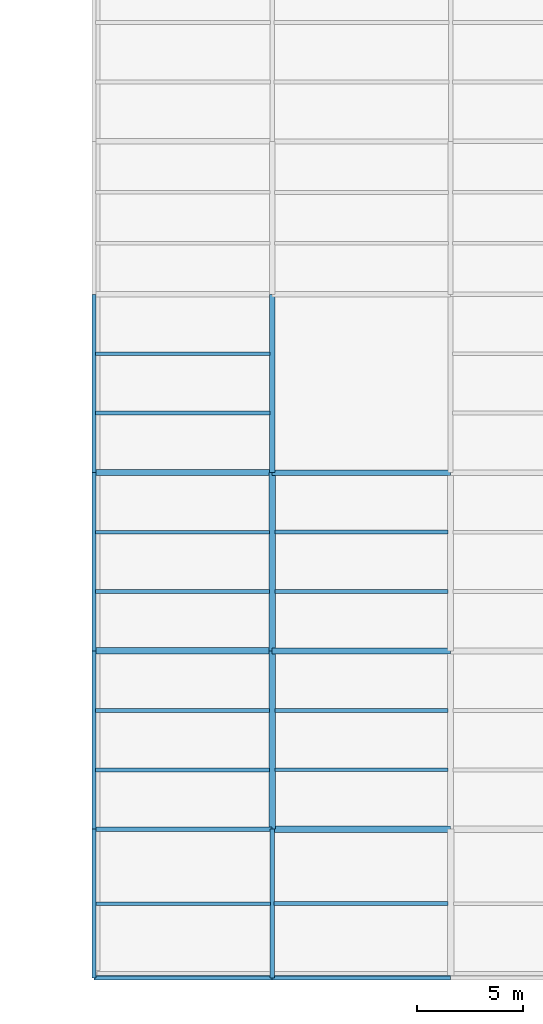
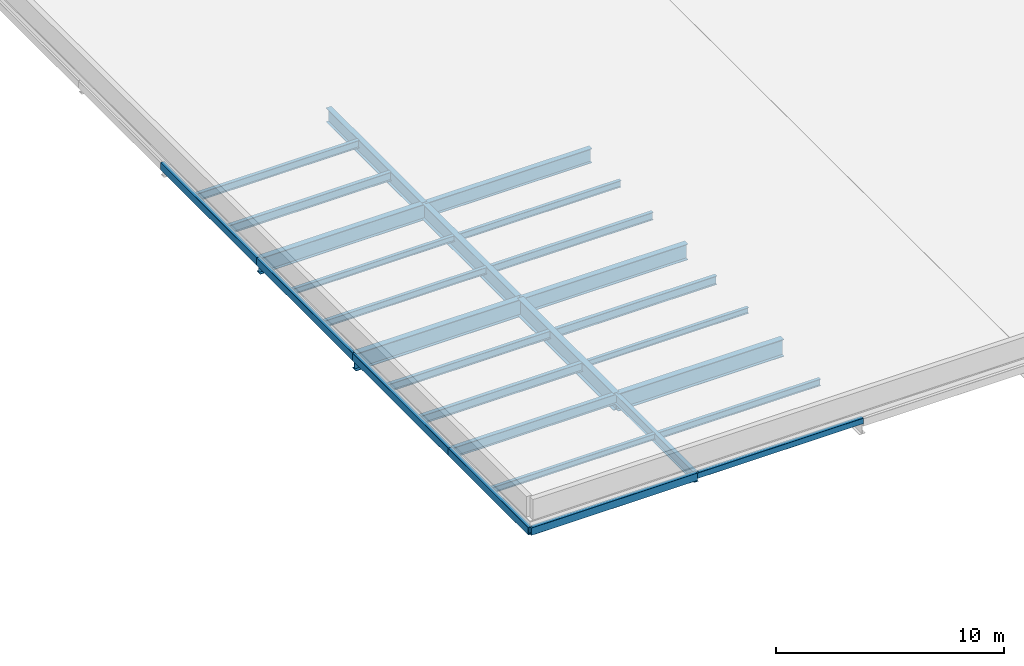
# One storey, part 26 of 68: 28 beams.
"""IFC4 building model written with IfcOpenShell, lengths in metres."""

from ifc_helpers import new_model, si_unit, direction, frame, origin_with_axes, origin_2d_with_axis, place, context, subcontext, project, spatial, hollow_rectangle, i_section, extrude, material, material_profile, profile_set, type_object, element, save


model = new_model("IFC4")

# Units and contexts
model_context = context("Model", 3, precision=1e-05, world=origin_with_axes(), true_north=direction((0.0, 1.0)))
body_context = subcontext(model_context, "Body", "Model", "MODEL_VIEW")
ifc_project = project(units=[si_unit("LENGTHUNIT", "METRE"), si_unit("AREAUNIT", "SQUARE_METRE"), si_unit("VOLUMEUNIT", "CUBIC_METRE"), si_unit("PLANEANGLEUNIT", "RADIAN"), si_unit("MASSUNIT", "GRAM", prefix="KILO"), si_unit("THERMODYNAMICTEMPERATUREUNIT", "KELVIN")], contexts=[model_context])

# Site, building, storey
site_placement = place(None, origin_with_axes())
site = spatial("IfcSite", under=ifc_project, at=site_placement, CompositionType="ELEMENT")
building_placement = place(site_placement, origin_with_axes())
building = spatial("IfcBuilding", under=site, at=building_placement, Name="Montbau Bow Law Courts", CompositionType="ELEMENT")
storey_placement = place(building_placement, frame((0.0, 0.0, 20.4), z_axis=(0.0, 0.0, 1.0), x_axis=(1.0, 0.0, 0.0)))
storey = spatial("IfcBuildingStorey", under=building, at=storey_placement, Name="L04", CompositionType="ELEMENT", Elevation=20.4)

# Beams
ifc_material_1 = material(Name="Steel CSA G40.21 Grade 350W (350 MPa)", Category="steel")
ifc_material_profile_1 = material_profile(ifc_material_1, i_section(OverallWidth=0.306, OverallDepth=0.919, WebThickness=0.0173, FlangeThickness=0.0279, at=origin_2d_with_axis()), Name="W920X253", Category="Main", Priority=0)
ifc_profile_set_1 = profile_set([ifc_material_profile_1], Name="Steel CSA G40.21 Grade 350W (350 MPa)")
beam_type_1 = type_object("IfcBeamType", Name="B-FLR-01", PredefinedType="BEAM", material=ifc_profile_set_1)
for number, where, z_axis, x_axis, name in (
    (1, (130.2, 13.8, 19.691), (1.0, 0.0, 0.0), (0.0, 1.0, 0.0), "BM-L04-S1716:bm2_1719"),
    (2, (121.8, 22.2, 19.691), (1.0, 0.0, 0.0), (0.0, 1.0, 0.0), "BM-L04-S1721:bm2_1724"),
    (3, (130.2, 13.8, 19.691), (0.0, 1.0, 0.0), (-1.0, 0.0, 0.0), "BM-L04-S1758:bm2_1761"),
):
    element("IfcBeam", number, at=place(None, frame(where, z_axis=z_axis, x_axis=x_axis)), inside=storey, type_object=beam_type_1, Name=name, PredefinedType="BEAM", context=body_context, shape_type="SweptSolid", body=[
        extrude(i_section(OverallWidth=0.306, OverallDepth=0.919, WebThickness=0.0173, FlangeThickness=0.0279, at=origin_2d_with_axis()), origin_with_axes(), (0.0, 0.0, 1.0), 8.4),
    ])
ifc_material_profile_2 = material_profile(ifc_material_1, i_section(OverallWidth=0.293, OverallDepth=0.846, WebThickness=0.0154, FlangeThickness=0.0244, at=origin_2d_with_axis()), Name="W840X210", Category="Main", Priority=0)
ifc_profile_set_2 = profile_set([ifc_material_profile_2], Name="Steel CSA G40.21 Grade 350W (350 MPa)")
beam_type_2 = type_object("IfcBeamType", Name="B-FLR-02", PredefinedType="BEAM", material=ifc_profile_set_2)
for number, where, z_axis, x_axis, name in (
    (4, (130.2, 22.2, 19.727), (1.0, 0.0, 0.0), (0.0, 1.0, 0.0), "BM-L04-S1722:bm2_1725"),
    (5, (121.8, 30.6, 19.727), (1.0, 0.0, 0.0), (0.0, 1.0, 0.0), "BM-L04-S1727:bm2_1730"),
    (6, (130.2, 22.2, 19.727), (0.0, 1.0, 0.0), (-1.0, 0.0, 0.0), "BM-L04-S1759:bm2_1762"),
):
    element("IfcBeam", number, at=place(None, frame(where, z_axis=z_axis, x_axis=x_axis)), inside=storey, type_object=beam_type_2, Name=name, PredefinedType="BEAM", context=body_context, shape_type="SweptSolid", body=[
        extrude(i_section(OverallWidth=0.293, OverallDepth=0.846, WebThickness=0.0154, FlangeThickness=0.0244, at=origin_2d_with_axis()), origin_with_axes(), (0.0, 0.0, 1.0), 8.4),
    ])
ifc_material_profile_3 = material_profile(ifc_material_1, i_section(OverallWidth=0.267, OverallDepth=0.766, WebThickness=0.0149, FlangeThickness=0.0236, at=origin_2d_with_axis()), Name="W760X185", Category="Main", Priority=0)
ifc_profile_set_3 = profile_set([ifc_material_profile_3], Name="Steel CSA G40.21 Grade 350W (350 MPa)")
beam_type_3 = type_object("IfcBeamType", Name="B-FLR-03", PredefinedType="BEAM", material=ifc_profile_set_3)
for number, where, z_axis, x_axis, name in (
    (7, (130.2, 30.6, 19.767), (1.0, 0.0, 0.0), (0.0, 1.0, 0.0), "BM-L04-S1728:bm2_1731"),
    (8, (130.2, 30.6, 19.767), (0.0, 1.0, 0.0), (-1.0, 0.0, 0.0), "BM-L04-S1760:bm2_1763"),
):
    element("IfcBeam", number, at=place(None, frame(where, z_axis=z_axis, x_axis=x_axis)), inside=storey, type_object=beam_type_3, Name=name, PredefinedType="BEAM", context=body_context, shape_type="SweptSolid", body=[
        extrude(i_section(OverallWidth=0.267, OverallDepth=0.766, WebThickness=0.0149, FlangeThickness=0.0236, at=origin_2d_with_axis()), origin_with_axes(), (0.0, 0.0, 1.0), 8.4),
    ])
ifc_material_profile_4 = material_profile(ifc_material_1, i_section(OverallWidth=0.21, OverallDepth=0.537, WebThickness=0.0109, FlangeThickness=0.0174, at=origin_2d_with_axis()), Name="W530X101", Category="Main", Priority=0)
ifc_profile_set_4 = profile_set([ifc_material_profile_4], Name="Steel CSA G40.21 Grade 350W (350 MPa)")
beam_type_4 = type_object("IfcBeamType", Name="B-FLR-06", PredefinedType="BEAM", material=ifc_profile_set_4)
beam_1_placement = place(None, frame((121.8, 13.8, 19.881), z_axis=(1.0, 0.0, 0.0), x_axis=(0.0, 1.0, 0.0)))
element("IfcBeam", 9, at=beam_1_placement, inside=storey, type_object=beam_type_4, Name="BM-L04-S1715:bm2_1718", PredefinedType="BEAM", context=body_context, shape_type="SweptSolid", body=[
    extrude(i_section(OverallWidth=0.21, OverallDepth=0.537, WebThickness=0.0109, FlangeThickness=0.0174, at=origin_2d_with_axis()), origin_with_axes(), (0.0, 0.0, 1.0), 8.4),
])
beam_2_placement = place(None, frame((130.2, 6.8, 19.881), z_axis=(0.0, 1.0, 0.0), x_axis=(-1.0, 0.0, 0.0)))
element("IfcBeam", 10, at=beam_2_placement, inside=storey, type_object=beam_type_4, Name="BM-L04-S1757:bm2_1760", PredefinedType="BEAM", context=body_context, shape_type="SweptSolid", body=[
    extrude(i_section(OverallWidth=0.21, OverallDepth=0.537, WebThickness=0.0109, FlangeThickness=0.0174, at=origin_2d_with_axis()), origin_with_axes(), (0.0, 0.0, 1.0), 7.0),
])
ifc_material_profile_5 = material_profile(ifc_material_1, i_section(OverallWidth=0.191, OverallDepth=0.46, WebThickness=0.0099, FlangeThickness=0.016, at=origin_2d_with_axis()), Name="W460X82", Category="Main", Priority=0)
ifc_profile_set_5 = profile_set([ifc_material_profile_5], Name="Steel CSA G40.21 Grade 350W (350 MPa)")
beam_type_5 = type_object("IfcBeamType", Name="B-JST-01", PredefinedType="JOIST", material=ifc_profile_set_5)
beam_3_placement = place(None, frame((121.88, 16.6, 19.92), z_axis=(1.0, 0.0, 0.0), x_axis=(0.0, 1.0, 0.0)))
element("IfcBeam", 11, at=beam_3_placement, inside=storey, type_object=beam_type_5, Name="JST-L04-S1012:jst2_1012", PredefinedType="JOIST", context=body_context, shape_type="SweptSolid", body=[
    extrude(i_section(OverallWidth=0.191, OverallDepth=0.46, WebThickness=0.0099, FlangeThickness=0.016, at=origin_2d_with_axis()), origin_with_axes(), (0.0, 0.0, 1.0), 8.191),
])
beam_4_placement = place(None, frame((121.88, 33.4, 19.92), z_axis=(1.0, 0.0, 0.0), x_axis=(0.0, 1.0, 0.0)))
element("IfcBeam", 12, at=beam_4_placement, inside=storey, type_object=beam_type_5, Name="JST-L04-S1016:jst2_1016", PredefinedType="JOIST", context=body_context, shape_type="SweptSolid", body=[
    extrude(i_section(OverallWidth=0.191, OverallDepth=0.46, WebThickness=0.0099, FlangeThickness=0.016, at=origin_2d_with_axis()), origin_with_axes(), (0.0, 0.0, 1.0), 8.21),
])
beam_5_placement = place(None, frame((130.329, 19.4, 19.92), z_axis=(1.0, 0.0, 0.0), x_axis=(0.0, 1.0, 0.0)))
element("IfcBeam", 13, at=beam_5_placement, inside=storey, type_object=beam_type_5, Name="JST-L04-S1024:jst2_1024", PredefinedType="JOIST", context=body_context, shape_type="SweptSolid", body=[
    extrude(i_section(OverallWidth=0.191, OverallDepth=0.46, WebThickness=0.0099, FlangeThickness=0.016, at=origin_2d_with_axis()), origin_with_axes(), (0.0, 0.0, 1.0), 8.148),
])
ifc_material_profile_6 = material_profile(ifc_material_1, i_section(OverallWidth=0.179, OverallDepth=0.41, WebThickness=0.0088, FlangeThickness=0.0144, at=origin_2d_with_axis()), Name="W410X67", Category="Main", Priority=0)
ifc_profile_set_6 = profile_set([ifc_material_profile_6], Name="Steel CSA G40.21 Grade 350W (350 MPa)")
beam_type_6 = type_object("IfcBeamType", Name="B-JST-02", PredefinedType="JOIST", material=ifc_profile_set_6)
beam_6_placement = place(None, frame((121.88, 19.4, 19.945), z_axis=(1.0, 0.0, 0.0), x_axis=(0.0, 1.0, 0.0)))
element("IfcBeam", 14, at=beam_6_placement, inside=storey, type_object=beam_type_6, Name="JST-L04-S1013:jst2_1013", PredefinedType="JOIST", context=body_context, shape_type="SweptSolid", body=[
    extrude(i_section(OverallWidth=0.179, OverallDepth=0.41, WebThickness=0.0088, FlangeThickness=0.0144, at=origin_2d_with_axis()), origin_with_axes(), (0.0, 0.0, 1.0), 8.191),
])
beam_7_placement = place(None, frame((121.88, 36.2, 19.945), z_axis=(1.0, 0.0, 0.0), x_axis=(0.0, 1.0, 0.0)))
element("IfcBeam", 15, at=beam_7_placement, inside=storey, type_object=beam_type_6, Name="JST-L04-S1017:jst2_1017", PredefinedType="JOIST", context=body_context, shape_type="SweptSolid", body=[
    extrude(i_section(OverallWidth=0.179, OverallDepth=0.41, WebThickness=0.0088, FlangeThickness=0.0144, at=origin_2d_with_axis()), origin_with_axes(), (0.0, 0.0, 1.0), 8.21),
])
beam_8_placement = place(None, frame((130.322, 25.0, 19.945), z_axis=(1.0, 0.0, 0.0), x_axis=(0.0, 1.0, 0.0)))
element("IfcBeam", 16, at=beam_8_placement, inside=storey, type_object=beam_type_6, Name="JST-L04-S1025:jst2_1025", PredefinedType="JOIST", context=body_context, shape_type="SweptSolid", body=[
    extrude(i_section(OverallWidth=0.179, OverallDepth=0.41, WebThickness=0.0088, FlangeThickness=0.0144, at=origin_2d_with_axis()), origin_with_axes(), (0.0, 0.0, 1.0), 8.168),
])
ifc_material_profile_7 = material_profile(ifc_material_1, i_section(OverallWidth=0.172, OverallDepth=0.358, WebThickness=0.0079, FlangeThickness=0.0131, at=origin_2d_with_axis()), Name="W360X57", Category="Main", Priority=0)
ifc_profile_set_7 = profile_set([ifc_material_profile_7], Name="Steel CSA G40.21 Grade 350W (350 MPa)")
beam_type_7 = type_object("IfcBeamType", Name="B-JST-03", PredefinedType="JOIST", material=ifc_profile_set_7)
beam_9_placement = place(None, frame((121.88, 25.0, 19.971), z_axis=(1.0, 0.0, 0.0), x_axis=(0.0, 1.0, 0.0)))
element("IfcBeam", 17, at=beam_9_placement, inside=storey, type_object=beam_type_7, Name="JST-L04-S1014:jst2_1014", PredefinedType="JOIST", context=body_context, shape_type="SweptSolid", body=[
    extrude(i_section(OverallWidth=0.172, OverallDepth=0.358, WebThickness=0.0079, FlangeThickness=0.0131, at=origin_2d_with_axis()), origin_with_axes(), (0.0, 0.0, 1.0), 8.197),
])
beam_10_placement = place(None, frame((130.281, 10.3, 19.971), z_axis=(1.0, 0.0, 0.0), x_axis=(0.0, 1.0, 0.0)))
element("IfcBeam", 18, at=beam_10_placement, inside=storey, type_object=beam_type_7, Name="JST-L04-S1022:jst2_1022", PredefinedType="JOIST", context=body_context, shape_type="SweptSolid", body=[
    extrude(i_section(OverallWidth=0.172, OverallDepth=0.358, WebThickness=0.0079, FlangeThickness=0.0131, at=origin_2d_with_axis()), origin_with_axes(), (0.0, 0.0, 1.0), 8.19),
])
beam_11_placement = place(None, frame((130.322, 27.8, 19.971), z_axis=(1.0, 0.0, 0.0), x_axis=(0.0, 1.0, 0.0)))
element("IfcBeam", 19, at=beam_11_placement, inside=storey, type_object=beam_type_7, Name="JST-L04-S1026:jst2_1026", PredefinedType="JOIST", context=body_context, shape_type="SweptSolid", body=[
    extrude(i_section(OverallWidth=0.172, OverallDepth=0.358, WebThickness=0.0079, FlangeThickness=0.0131, at=origin_2d_with_axis()), origin_with_axes(), (0.0, 0.0, 1.0), 8.168),
])
ifc_material_profile_8 = material_profile(ifc_material_1, i_section(OverallWidth=0.166, OverallDepth=0.313, WebThickness=0.0066, FlangeThickness=0.0112, at=origin_2d_with_axis()), Name="W310X45", Category="Main", Priority=0)
ifc_profile_set_8 = profile_set([ifc_material_profile_8], Name="Steel CSA G40.21 Grade 350W (350 MPa)")
beam_type_8 = type_object("IfcBeamType", Name="B-JST-04", PredefinedType="JOIST", material=ifc_profile_set_8)
beam_12_placement = place(None, frame((121.88, 10.3, 19.993), z_axis=(1.0, 0.0, 0.0), x_axis=(0.0, 1.0, 0.0)))
element("IfcBeam", 20, at=beam_12_placement, inside=storey, type_object=beam_type_8, Name="JST-L04-S1011:jst2_1011", PredefinedType="JOIST", context=body_context, shape_type="SweptSolid", body=[
    extrude(i_section(OverallWidth=0.166, OverallDepth=0.313, WebThickness=0.0066, FlangeThickness=0.0112, at=origin_2d_with_axis()), origin_with_axes(), (0.0, 0.0, 1.0), 8.239),
])
beam_13_placement = place(None, frame((121.88, 27.8, 19.993), z_axis=(1.0, 0.0, 0.0), x_axis=(0.0, 1.0, 0.0)))
element("IfcBeam", 21, at=beam_13_placement, inside=storey, type_object=beam_type_8, Name="JST-L04-S1015:jst2_1015", PredefinedType="JOIST", context=body_context, shape_type="SweptSolid", body=[
    extrude(i_section(OverallWidth=0.166, OverallDepth=0.313, WebThickness=0.0066, FlangeThickness=0.0112, at=origin_2d_with_axis()), origin_with_axes(), (0.0, 0.0, 1.0), 8.197),
])
beam_14_placement = place(None, frame((130.329, 16.6, 19.993), z_axis=(1.0, 0.0, 0.0), x_axis=(0.0, 1.0, 0.0)))
element("IfcBeam", 22, at=beam_14_placement, inside=storey, type_object=beam_type_8, Name="JST-L04-S1023:jst2_1023", PredefinedType="JOIST", context=body_context, shape_type="SweptSolid", body=[
    extrude(i_section(OverallWidth=0.166, OverallDepth=0.313, WebThickness=0.0066, FlangeThickness=0.0112, at=origin_2d_with_axis()), origin_with_axes(), (0.0, 0.0, 1.0), 8.148),
])
ifc_material_2 = material(Name="Steel CSA G40.21 Grade 350WT (350 MPa)", Category="steel")
ifc_material_profile_9 = material_profile(ifc_material_2, hollow_rectangle(XDim=0.203, YDim=0.406, WallThickness=0.0127, InnerFilletRadius=0.0254, OuterFilletRadius=0.0127, at=origin_2d_with_axis()), Name="HSS406X203X13", Category="Main", Priority=0)
ifc_profile_set_9 = profile_set([ifc_material_profile_9], Name="Steel CSA G40.21 Grade 350WT (350 MPa)")
beam_type_9 = type_object("IfcBeamType", Name="B-SPN-01", PredefinedType="SPANDREL", material=ifc_profile_set_9)
beam_15_placement = place(None, frame((121.8, 6.8, 19.947), z_axis=(1.0, 0.0, 0.0), x_axis=(0.0, 1.0, 0.0)))
element("IfcBeam", 23, at=beam_15_placement, inside=storey, type_object=beam_type_9, Name="SPN-L04-S1709:bm2_1712", PredefinedType="SPANDREL", context=body_context, shape_type="SweptSolid", body=[
    extrude(hollow_rectangle(XDim=0.203, YDim=0.406, WallThickness=0.0127, InnerFilletRadius=0.0254, OuterFilletRadius=0.0127, at=origin_2d_with_axis()), origin_with_axes(), (0.0, 0.0, 1.0), 8.4),
])
beam_16_placement = place(None, frame((121.8, 6.8, 19.947), z_axis=(0.0, 1.0, 0.0), x_axis=(-1.0, 0.0, 0.0)))
element("IfcBeam", 24, at=beam_16_placement, inside=storey, type_object=beam_type_9, Name="SPN-L04-S1751:bm2_1754", PredefinedType="SPANDREL", context=body_context, shape_type="SweptSolid", body=[
    extrude(hollow_rectangle(XDim=0.203, YDim=0.406, WallThickness=0.0127, InnerFilletRadius=0.0254, OuterFilletRadius=0.0127, at=origin_2d_with_axis()), origin_with_axes(), (0.0, 0.0, 1.0), 7.0),
])
for number, where, z_axis, x_axis, name in (
    (25, (121.8, 13.8, 19.947), (0.0, 1.0, 0.0), (-1.0, 0.0, 0.0), "SPN-L04-S1752:bm2_1755"),
    (26, (121.8, 22.2, 19.947), (0.0, 1.0, 0.0), (-1.0, 0.0, 0.0), "SPN-L04-S1753:bm2_1756"),
    (27, (121.8, 30.6, 19.947), (0.0, 1.0, 0.0), (-1.0, 0.0, 0.0), "SPN-L04-S1754:bm2_1757"),
):
    element("IfcBeam", number, at=place(None, frame(where, z_axis=z_axis, x_axis=x_axis)), inside=storey, type_object=beam_type_9, Name=name, PredefinedType="SPANDREL", context=body_context, shape_type="SweptSolid", body=[
        extrude(hollow_rectangle(XDim=0.203, YDim=0.406, WallThickness=0.0127, InnerFilletRadius=0.0254, OuterFilletRadius=0.0127, at=origin_2d_with_axis()), origin_with_axes(), (0.0, 0.0, 1.0), 8.4),
    ])
ifc_material_profile_10 = material_profile(ifc_material_2, hollow_rectangle(XDim=0.203, YDim=0.305, WallThickness=0.0127, InnerFilletRadius=0.0254, OuterFilletRadius=0.0127, at=origin_2d_with_axis()), Name="HSS305X203X13", Category="Main", Priority=0)
ifc_profile_set_10 = profile_set([ifc_material_profile_10], Name="Steel CSA G40.21 Grade 350WT (350 MPa)")
beam_type_10 = type_object("IfcBeamType", Name="B-SPN-02", PredefinedType="SPANDREL", material=ifc_profile_set_10)
beam_17_placement = place(None, frame((130.2, 6.8, 19.997), z_axis=(1.0, 0.0, 0.0), x_axis=(0.0, 1.0, 0.0)))
element("IfcBeam", 28, at=beam_17_placement, inside=storey, type_object=beam_type_10, Name="SPN-L04-S1710:bm2_1713", PredefinedType="SPANDREL", context=body_context, shape_type="SweptSolid", body=[
    extrude(hollow_rectangle(XDim=0.203, YDim=0.305, WallThickness=0.0127, InnerFilletRadius=0.0254, OuterFilletRadius=0.0127, at=origin_2d_with_axis()), origin_with_axes(), (0.0, 0.0, 1.0), 8.4),
])

save(model, "model.ifc")
